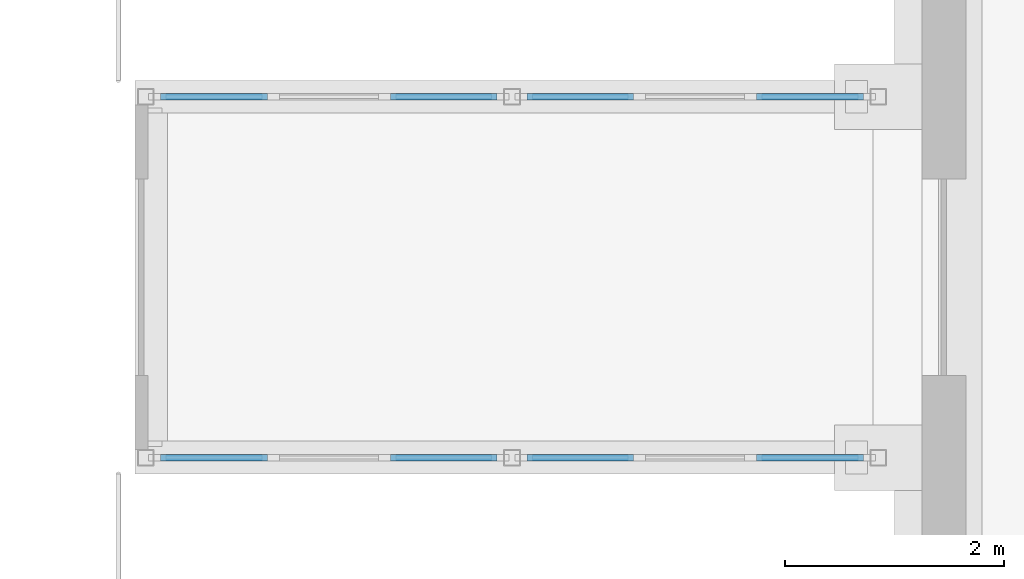
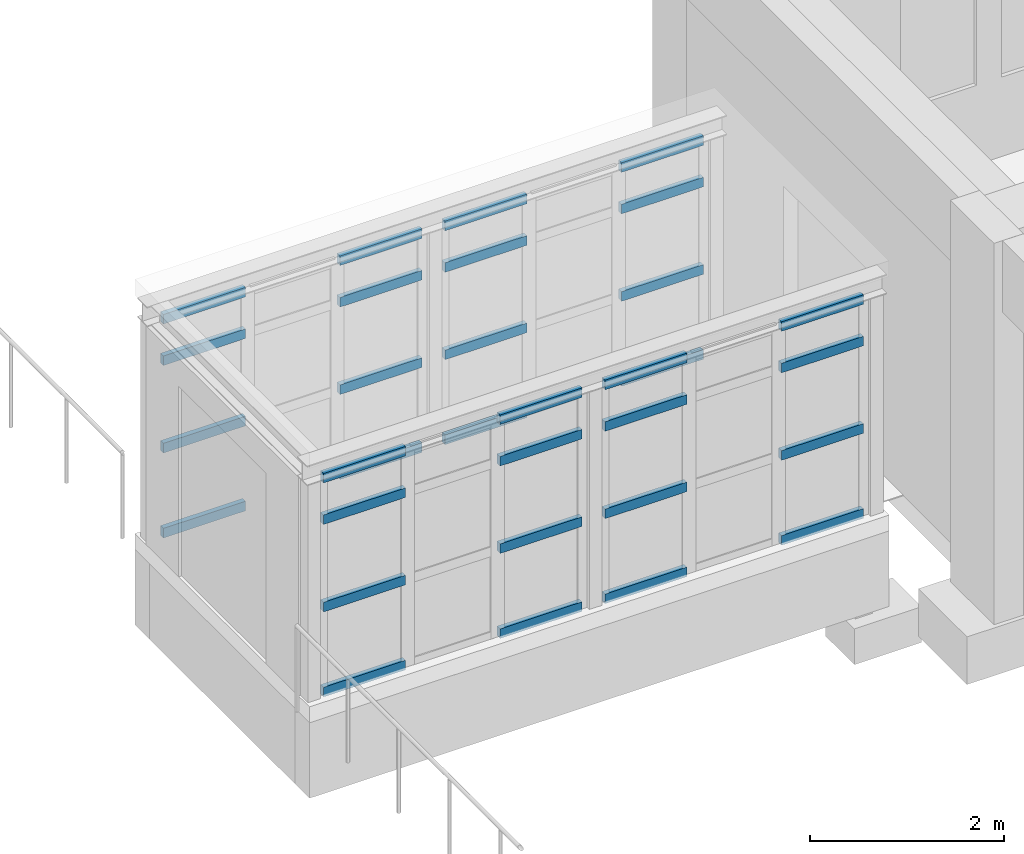
# One storey, part 60 of 131: 32 members, 4 elements without a shape of their own.
"""IFC4 building model written with IfcOpenShell, lengths in metres."""

from ifc_helpers import new_model, si_unit, direction, frame, origin, origin_2d, place, context, subcontext, project, spatial, rectangle, extrude, material, layer, layer_set, material_profile, profile_set, type_object, element, aggregate, save


model = new_model("IFC4")

# Units and contexts
model_context = context("Model", 3, precision=1e-05, world=origin(), true_north=direction((0.0, 1.0)))
body_context = subcontext(model_context, "Body", "Model", "MODEL_VIEW")
ifc_project = project(units=[si_unit("LENGTHUNIT", "METRE"), si_unit("AREAUNIT", "SQUARE_METRE"), si_unit("VOLUMEUNIT", "CUBIC_METRE"), si_unit("PLANEANGLEUNIT", "RADIAN"), si_unit("MASSUNIT", "GRAM", prefix="KILO")], contexts=[model_context])

# Site, building, storey
site_placement = place(None, origin())
site = spatial("IfcSite", under=ifc_project, at=site_placement, CompositionType="ELEMENT")
building_placement = place(site_placement, origin())
building = spatial("IfcBuilding", under=site, at=building_placement, Name="Alderwick Market Hall", CompositionType="ELEMENT")
storey_placement = place(building_placement, frame((0.0, 0.0, 4.800048828125)))
storey = spatial("IfcBuildingStorey", under=building, at=storey_placement, Name="L00", CompositionType="ELEMENT", Elevation=4.800048828125)

# Curtain wall, members
ifc_material = material(Name="Aluminium frame", Category="aluminium")
ifc_layer = layer(ifc_material, 0.10009765625)
ifc_layer_set = layer_set([ifc_layer], Name="Aluminium frame")
curtain_wall_type = type_object("IfcCurtainWallType", Name="P Curtain Wall 100", PredefinedType="NOTDEFINED", material=ifc_layer_set)
curtain_wall_1_placement = place(storey_placement, origin())
curtain_wall_1 = element("IfcCurtainWall", 1, at=curtain_wall_1_placement, inside=storey, type_object=curtain_wall_type, Name="P.P10.cw.a0", PredefinedType="NOTDEFINED")
ifc_material_profile = material_profile(ifc_material, rectangle(XDim=0.06005859375, YDim=0.1201171875, at=origin_2d()), Name="P Transom 60x120")
ifc_profile_set = profile_set([ifc_material_profile], Name="Aluminium frame")
member_type = type_object("IfcMemberType", Name="P Transom 60x120", PredefinedType="USERDEFINED", material=ifc_profile_set)
member_1_placement = place(storey_placement, frame((151.43603515625, 23.550048828125, 0.030029296875), z_axis=(1.0, 0.0, 0.0), x_axis=(0.0, 1.0, 0.0)))
member_1 = element("IfcMember", 2, at=member_1_placement, type_object=member_type, Name="P-CW10a0 transom 1.1", ObjectType="TRANSOM", PredefinedType="USERDEFINED", context=body_context, shape_type="SweptSolid", body=[
    extrude(rectangle(XDim=0.06005859375, YDim=0.1201171875, at=origin_2d()), origin(), (0.0, 0.0, 1.0), 0.97607421875),
])
member_2_placement = place(storey_placement, frame((151.43603515625, 23.550048828125, 1.099853515625), z_axis=(1.0, 0.0, 0.0), x_axis=(0.0, 1.0, 0.0)))
member_2 = element("IfcMember", 3, at=member_2_placement, type_object=member_type, Name="P-CW10a0 transom 1.2", ObjectType="TRANSOM", PredefinedType="USERDEFINED", context=body_context, shape_type="SweptSolid", body=[
    extrude(rectangle(XDim=0.06005859375, YDim=0.1201171875, at=origin_2d()), origin(), (0.0, 0.0, 1.0), 0.97607421875),
])
member_3_placement = place(storey_placement, frame((151.43603515625, 23.550048828125, 2.199951171875), z_axis=(1.0, 0.0, 0.0), x_axis=(0.0, 1.0, 0.0)))
member_3 = element("IfcMember", 4, at=member_3_placement, type_object=member_type, Name="P-CW10a0 transom 1.3", ObjectType="TRANSOM", PredefinedType="USERDEFINED", context=body_context, shape_type="SweptSolid", body=[
    extrude(rectangle(XDim=0.06005859375, YDim=0.1201171875, at=origin_2d()), origin(), (0.0, 0.0, 1.0), 0.97607421875),
])
member_4_placement = place(storey_placement, frame((151.43603515625, 23.550048828125, 2.722900390625), z_axis=(1.0, 0.0, 0.0), x_axis=(0.0, 1.0, 0.0)))
member_4 = element("IfcMember", 5, at=member_4_placement, type_object=member_type, Name="P-CW10a0 transom 1.4", ObjectType="TRANSOM", PredefinedType="USERDEFINED", context=body_context, shape_type="SweptSolid", body=[
    extrude(rectangle(XDim=0.06005859375, YDim=0.1201171875, at=origin_2d()), origin(), (0.0, 0.0, 1.0), 0.97607421875),
])
member_5_placement = place(storey_placement, frame((153.5380859375, 23.550048828125, 0.030029296875), z_axis=(1.0, 0.0, 0.0), x_axis=(0.0, 1.0, 0.0)))
member_5 = element("IfcMember", 6, at=member_5_placement, type_object=member_type, Name="P-CW10a0 transom 3.1", ObjectType="TRANSOM", PredefinedType="USERDEFINED", context=body_context, shape_type="SweptSolid", body=[
    extrude(rectangle(XDim=0.06005859375, YDim=0.1201171875, at=origin_2d()), origin(), (0.0, 0.0, 1.0), 0.975830078125),
])
member_6_placement = place(storey_placement, frame((153.5380859375, 23.550048828125, 1.099853515625), z_axis=(1.0, 0.0, 0.0), x_axis=(0.0, 1.0, 0.0)))
member_6 = element("IfcMember", 7, at=member_6_placement, type_object=member_type, Name="P-CW10a0 transom 3.2", ObjectType="TRANSOM", PredefinedType="USERDEFINED", context=body_context, shape_type="SweptSolid", body=[
    extrude(rectangle(XDim=0.06005859375, YDim=0.1201171875, at=origin_2d()), origin(), (0.0, 0.0, 1.0), 0.975830078125),
])
member_7_placement = place(storey_placement, frame((153.5380859375, 23.550048828125, 2.199951171875), z_axis=(1.0, 0.0, 0.0), x_axis=(0.0, 1.0, 0.0)))
member_7 = element("IfcMember", 8, at=member_7_placement, type_object=member_type, Name="P-CW10a0 transom 3.3", ObjectType="TRANSOM", PredefinedType="USERDEFINED", context=body_context, shape_type="SweptSolid", body=[
    extrude(rectangle(XDim=0.06005859375, YDim=0.1201171875, at=origin_2d()), origin(), (0.0, 0.0, 1.0), 0.975830078125),
])
member_8_placement = place(storey_placement, frame((153.5380859375, 23.550048828125, 2.722900390625), z_axis=(1.0, 0.0, 0.0), x_axis=(0.0, 1.0, 0.0)))
member_8 = element("IfcMember", 9, at=member_8_placement, type_object=member_type, Name="P-CW10a0 transom 3.4", ObjectType="TRANSOM", PredefinedType="USERDEFINED", context=body_context, shape_type="SweptSolid", body=[
    extrude(rectangle(XDim=0.06005859375, YDim=0.1201171875, at=origin_2d()), origin(), (0.0, 0.0, 1.0), 0.975830078125),
])
aggregate(curtain_wall_1, [member_1, member_2, member_3, member_4, member_5, member_6, member_7, member_8])

curtain_wall_2_placement = place(storey_placement, origin())
curtain_wall_2 = element("IfcCurtainWall", 10, at=curtain_wall_2_placement, inside=storey, type_object=curtain_wall_type, Name="P.P10.cw.a1", PredefinedType="NOTDEFINED")
member_9_placement = place(storey_placement, frame((154.785888671875, 23.550048828125, 0.030029296875), z_axis=(1.0, 0.0, 0.0), x_axis=(0.0, 1.0, 0.0)))
member_9 = element("IfcMember", 11, at=member_9_placement, type_object=member_type, Name="P-CW10a1 transom 1.1", ObjectType="TRANSOM", PredefinedType="USERDEFINED", context=body_context, shape_type="SweptSolid", body=[
    extrude(rectangle(XDim=0.06005859375, YDim=0.1201171875, at=origin_2d()), origin(), (0.0, 0.0, 1.0), 0.97607421875),
])
member_10_placement = place(storey_placement, frame((154.785888671875, 23.550048828125, 1.099853515625), z_axis=(1.0, 0.0, 0.0), x_axis=(0.0, 1.0, 0.0)))
member_10 = element("IfcMember", 12, at=member_10_placement, type_object=member_type, Name="P-CW10a1 transom 1.2", ObjectType="TRANSOM", PredefinedType="USERDEFINED", context=body_context, shape_type="SweptSolid", body=[
    extrude(rectangle(XDim=0.06005859375, YDim=0.1201171875, at=origin_2d()), origin(), (0.0, 0.0, 1.0), 0.97607421875),
])
member_11_placement = place(storey_placement, frame((154.785888671875, 23.550048828125, 2.199951171875), z_axis=(1.0, 0.0, 0.0), x_axis=(0.0, 1.0, 0.0)))
member_11 = element("IfcMember", 13, at=member_11_placement, type_object=member_type, Name="P-CW10a1 transom 1.3", ObjectType="TRANSOM", PredefinedType="USERDEFINED", context=body_context, shape_type="SweptSolid", body=[
    extrude(rectangle(XDim=0.06005859375, YDim=0.1201171875, at=origin_2d()), origin(), (0.0, 0.0, 1.0), 0.97607421875),
])
member_12_placement = place(storey_placement, frame((154.785888671875, 23.550048828125, 2.722900390625), z_axis=(1.0, 0.0, 0.0), x_axis=(0.0, 1.0, 0.0)))
member_12 = element("IfcMember", 14, at=member_12_placement, type_object=member_type, Name="P-CW10a1 transom 1.4", ObjectType="TRANSOM", PredefinedType="USERDEFINED", context=body_context, shape_type="SweptSolid", body=[
    extrude(rectangle(XDim=0.06005859375, YDim=0.1201171875, at=origin_2d()), origin(), (0.0, 0.0, 1.0), 0.97607421875),
])
member_13_placement = place(storey_placement, frame((156.887939453125, 23.550048828125, 0.030029296875), z_axis=(1.0, 0.0, 0.0), x_axis=(0.0, 1.0, 0.0)))
member_13 = element("IfcMember", 15, at=member_13_placement, type_object=member_type, Name="P-CW10a1 transom 3.1", ObjectType="TRANSOM", PredefinedType="USERDEFINED", context=body_context, shape_type="SweptSolid", body=[
    extrude(rectangle(XDim=0.06005859375, YDim=0.1201171875, at=origin_2d()), origin(), (0.0, 0.0, 1.0), 0.97607421875),
])
member_14_placement = place(storey_placement, frame((156.887939453125, 23.550048828125, 1.099853515625), z_axis=(1.0, 0.0, 0.0), x_axis=(0.0, 1.0, 0.0)))
member_14 = element("IfcMember", 16, at=member_14_placement, type_object=member_type, Name="P-CW10a1 transom 3.2", ObjectType="TRANSOM", PredefinedType="USERDEFINED", context=body_context, shape_type="SweptSolid", body=[
    extrude(rectangle(XDim=0.06005859375, YDim=0.1201171875, at=origin_2d()), origin(), (0.0, 0.0, 1.0), 0.97607421875),
])
member_15_placement = place(storey_placement, frame((156.887939453125, 23.550048828125, 2.199951171875), z_axis=(1.0, 0.0, 0.0), x_axis=(0.0, 1.0, 0.0)))
member_15 = element("IfcMember", 17, at=member_15_placement, type_object=member_type, Name="P-CW10a1 transom 3.3", ObjectType="TRANSOM", PredefinedType="USERDEFINED", context=body_context, shape_type="SweptSolid", body=[
    extrude(rectangle(XDim=0.06005859375, YDim=0.1201171875, at=origin_2d()), origin(), (0.0, 0.0, 1.0), 0.97607421875),
])
member_16_placement = place(storey_placement, frame((156.887939453125, 23.550048828125, 2.722900390625), z_axis=(1.0, 0.0, 0.0), x_axis=(0.0, 1.0, 0.0)))
member_16 = element("IfcMember", 18, at=member_16_placement, type_object=member_type, Name="P-CW10a1 transom 3.4", ObjectType="TRANSOM", PredefinedType="USERDEFINED", context=body_context, shape_type="SweptSolid", body=[
    extrude(rectangle(XDim=0.06005859375, YDim=0.1201171875, at=origin_2d()), origin(), (0.0, 0.0, 1.0), 0.97607421875),
])
aggregate(curtain_wall_2, [member_9, member_10, member_11, member_12, member_13, member_14, member_15, member_16])

curtain_wall_3_placement = place(storey_placement, origin())
curtain_wall_3 = element("IfcCurtainWall", 19, at=curtain_wall_3_placement, inside=storey, type_object=curtain_wall_type, Name="P.P10.cw.b0", PredefinedType="NOTDEFINED")
member_17_placement = place(storey_placement, frame((151.43603515625, 26.85009765625, 0.030029296875), z_axis=(1.0, 0.0, 0.0), x_axis=(0.0, 1.0, 0.0)))
member_17 = element("IfcMember", 20, at=member_17_placement, type_object=member_type, Name="P-CW10b0 transom 1.1", ObjectType="TRANSOM", PredefinedType="USERDEFINED", context=body_context, shape_type="SweptSolid", body=[
    extrude(rectangle(XDim=0.06005859375, YDim=0.1201171875, at=origin_2d()), origin(), (0.0, 0.0, 1.0), 0.97607421875),
])
member_18_placement = place(storey_placement, frame((151.43603515625, 26.85009765625, 1.099853515625), z_axis=(1.0, 0.0, 0.0), x_axis=(0.0, 1.0, 0.0)))
member_18 = element("IfcMember", 21, at=member_18_placement, type_object=member_type, Name="P-CW10b0 transom 1.2", ObjectType="TRANSOM", PredefinedType="USERDEFINED", context=body_context, shape_type="SweptSolid", body=[
    extrude(rectangle(XDim=0.06005859375, YDim=0.1201171875, at=origin_2d()), origin(), (0.0, 0.0, 1.0), 0.97607421875),
])
member_19_placement = place(storey_placement, frame((151.43603515625, 26.85009765625, 2.199951171875), z_axis=(1.0, 0.0, 0.0), x_axis=(0.0, 1.0, 0.0)))
member_19 = element("IfcMember", 22, at=member_19_placement, type_object=member_type, Name="P-CW10b0 transom 1.3", ObjectType="TRANSOM", PredefinedType="USERDEFINED", context=body_context, shape_type="SweptSolid", body=[
    extrude(rectangle(XDim=0.06005859375, YDim=0.1201171875, at=origin_2d()), origin(), (0.0, 0.0, 1.0), 0.97607421875),
])
member_20_placement = place(storey_placement, frame((151.43603515625, 26.85009765625, 2.722900390625), z_axis=(1.0, 0.0, 0.0), x_axis=(0.0, 1.0, 0.0)))
member_20 = element("IfcMember", 23, at=member_20_placement, type_object=member_type, Name="P-CW10b0 transom 1.4", ObjectType="TRANSOM", PredefinedType="USERDEFINED", context=body_context, shape_type="SweptSolid", body=[
    extrude(rectangle(XDim=0.06005859375, YDim=0.1201171875, at=origin_2d()), origin(), (0.0, 0.0, 1.0), 0.97607421875),
])
member_21_placement = place(storey_placement, frame((153.5380859375, 26.85009765625, 0.030029296875), z_axis=(1.0, 0.0, 0.0), x_axis=(0.0, 1.0, 0.0)))
member_21 = element("IfcMember", 24, at=member_21_placement, type_object=member_type, Name="P-CW10b0 transom 3.1", ObjectType="TRANSOM", PredefinedType="USERDEFINED", context=body_context, shape_type="SweptSolid", body=[
    extrude(rectangle(XDim=0.06005859375, YDim=0.1201171875, at=origin_2d()), origin(), (0.0, 0.0, 1.0), 0.975830078125),
])
member_22_placement = place(storey_placement, frame((153.5380859375, 26.85009765625, 1.099853515625), z_axis=(1.0, 0.0, 0.0), x_axis=(0.0, 1.0, 0.0)))
member_22 = element("IfcMember", 25, at=member_22_placement, type_object=member_type, Name="P-CW10b0 transom 3.2", ObjectType="TRANSOM", PredefinedType="USERDEFINED", context=body_context, shape_type="SweptSolid", body=[
    extrude(rectangle(XDim=0.06005859375, YDim=0.1201171875, at=origin_2d()), origin(), (0.0, 0.0, 1.0), 0.975830078125),
])
member_23_placement = place(storey_placement, frame((153.5380859375, 26.85009765625, 2.199951171875), z_axis=(1.0, 0.0, 0.0), x_axis=(0.0, 1.0, 0.0)))
member_23 = element("IfcMember", 26, at=member_23_placement, type_object=member_type, Name="P-CW10b0 transom 3.3", ObjectType="TRANSOM", PredefinedType="USERDEFINED", context=body_context, shape_type="SweptSolid", body=[
    extrude(rectangle(XDim=0.06005859375, YDim=0.1201171875, at=origin_2d()), origin(), (0.0, 0.0, 1.0), 0.975830078125),
])
member_24_placement = place(storey_placement, frame((153.5380859375, 26.85009765625, 2.722900390625), z_axis=(1.0, 0.0, 0.0), x_axis=(0.0, 1.0, 0.0)))
member_24 = element("IfcMember", 27, at=member_24_placement, type_object=member_type, Name="P-CW10b0 transom 3.4", ObjectType="TRANSOM", PredefinedType="USERDEFINED", context=body_context, shape_type="SweptSolid", body=[
    extrude(rectangle(XDim=0.06005859375, YDim=0.1201171875, at=origin_2d()), origin(), (0.0, 0.0, 1.0), 0.975830078125),
])
aggregate(curtain_wall_3, [member_17, member_18, member_19, member_20, member_21, member_22, member_23, member_24])

curtain_wall_4_placement = place(storey_placement, origin())
curtain_wall_4 = element("IfcCurtainWall", 28, at=curtain_wall_4_placement, inside=storey, type_object=curtain_wall_type, Name="P.P10.cw.b1", PredefinedType="NOTDEFINED")
member_25_placement = place(storey_placement, frame((154.785888671875, 26.85009765625, 0.030029296875), z_axis=(1.0, 0.0, 0.0), x_axis=(0.0, 1.0, 0.0)))
member_25 = element("IfcMember", 29, at=member_25_placement, type_object=member_type, Name="P-CW10b1 transom 1.1", ObjectType="TRANSOM", PredefinedType="USERDEFINED", context=body_context, shape_type="SweptSolid", body=[
    extrude(rectangle(XDim=0.06005859375, YDim=0.1201171875, at=origin_2d()), origin(), (0.0, 0.0, 1.0), 0.97607421875),
])
member_26_placement = place(storey_placement, frame((154.785888671875, 26.85009765625, 1.099853515625), z_axis=(1.0, 0.0, 0.0), x_axis=(0.0, 1.0, 0.0)))
member_26 = element("IfcMember", 30, at=member_26_placement, type_object=member_type, Name="P-CW10b1 transom 1.2", ObjectType="TRANSOM", PredefinedType="USERDEFINED", context=body_context, shape_type="SweptSolid", body=[
    extrude(rectangle(XDim=0.06005859375, YDim=0.1201171875, at=origin_2d()), origin(), (0.0, 0.0, 1.0), 0.97607421875),
])
member_27_placement = place(storey_placement, frame((154.785888671875, 26.85009765625, 2.199951171875), z_axis=(1.0, 0.0, 0.0), x_axis=(0.0, 1.0, 0.0)))
member_27 = element("IfcMember", 31, at=member_27_placement, type_object=member_type, Name="P-CW10b1 transom 1.3", ObjectType="TRANSOM", PredefinedType="USERDEFINED", context=body_context, shape_type="SweptSolid", body=[
    extrude(rectangle(XDim=0.06005859375, YDim=0.1201171875, at=origin_2d()), origin(), (0.0, 0.0, 1.0), 0.97607421875),
])
member_28_placement = place(storey_placement, frame((154.785888671875, 26.85009765625, 2.722900390625), z_axis=(1.0, 0.0, 0.0), x_axis=(0.0, 1.0, 0.0)))
member_28 = element("IfcMember", 32, at=member_28_placement, type_object=member_type, Name="P-CW10b1 transom 1.4", ObjectType="TRANSOM", PredefinedType="USERDEFINED", context=body_context, shape_type="SweptSolid", body=[
    extrude(rectangle(XDim=0.06005859375, YDim=0.1201171875, at=origin_2d()), origin(), (0.0, 0.0, 1.0), 0.97607421875),
])
member_29_placement = place(storey_placement, frame((156.887939453125, 26.85009765625, 0.030029296875), z_axis=(1.0, 0.0, 0.0), x_axis=(0.0, 1.0, 0.0)))
member_29 = element("IfcMember", 33, at=member_29_placement, type_object=member_type, Name="P-CW10b1 transom 3.1", ObjectType="TRANSOM", PredefinedType="USERDEFINED", context=body_context, shape_type="SweptSolid", body=[
    extrude(rectangle(XDim=0.06005859375, YDim=0.1201171875, at=origin_2d()), origin(), (0.0, 0.0, 1.0), 0.97607421875),
])
member_30_placement = place(storey_placement, frame((156.887939453125, 26.85009765625, 1.099853515625), z_axis=(1.0, 0.0, 0.0), x_axis=(0.0, 1.0, 0.0)))
member_30 = element("IfcMember", 34, at=member_30_placement, type_object=member_type, Name="P-CW10b1 transom 3.2", ObjectType="TRANSOM", PredefinedType="USERDEFINED", context=body_context, shape_type="SweptSolid", body=[
    extrude(rectangle(XDim=0.06005859375, YDim=0.1201171875, at=origin_2d()), origin(), (0.0, 0.0, 1.0), 0.97607421875),
])
member_31_placement = place(storey_placement, frame((156.887939453125, 26.85009765625, 2.199951171875), z_axis=(1.0, 0.0, 0.0), x_axis=(0.0, 1.0, 0.0)))
member_31 = element("IfcMember", 35, at=member_31_placement, type_object=member_type, Name="P-CW10b1 transom 3.3", ObjectType="TRANSOM", PredefinedType="USERDEFINED", context=body_context, shape_type="SweptSolid", body=[
    extrude(rectangle(XDim=0.06005859375, YDim=0.1201171875, at=origin_2d()), origin(), (0.0, 0.0, 1.0), 0.97607421875),
])
member_32_placement = place(storey_placement, frame((156.887939453125, 26.85009765625, 2.722900390625), z_axis=(1.0, 0.0, 0.0), x_axis=(0.0, 1.0, 0.0)))
member_32 = element("IfcMember", 36, at=member_32_placement, type_object=member_type, Name="P-CW10b1 transom 3.4", ObjectType="TRANSOM", PredefinedType="USERDEFINED", context=body_context, shape_type="SweptSolid", body=[
    extrude(rectangle(XDim=0.06005859375, YDim=0.1201171875, at=origin_2d()), origin(), (0.0, 0.0, 1.0), 0.97607421875),
])
aggregate(curtain_wall_4, [member_25, member_26, member_27, member_28, member_29, member_30, member_31, member_32])

save(model, "model.ifc")
